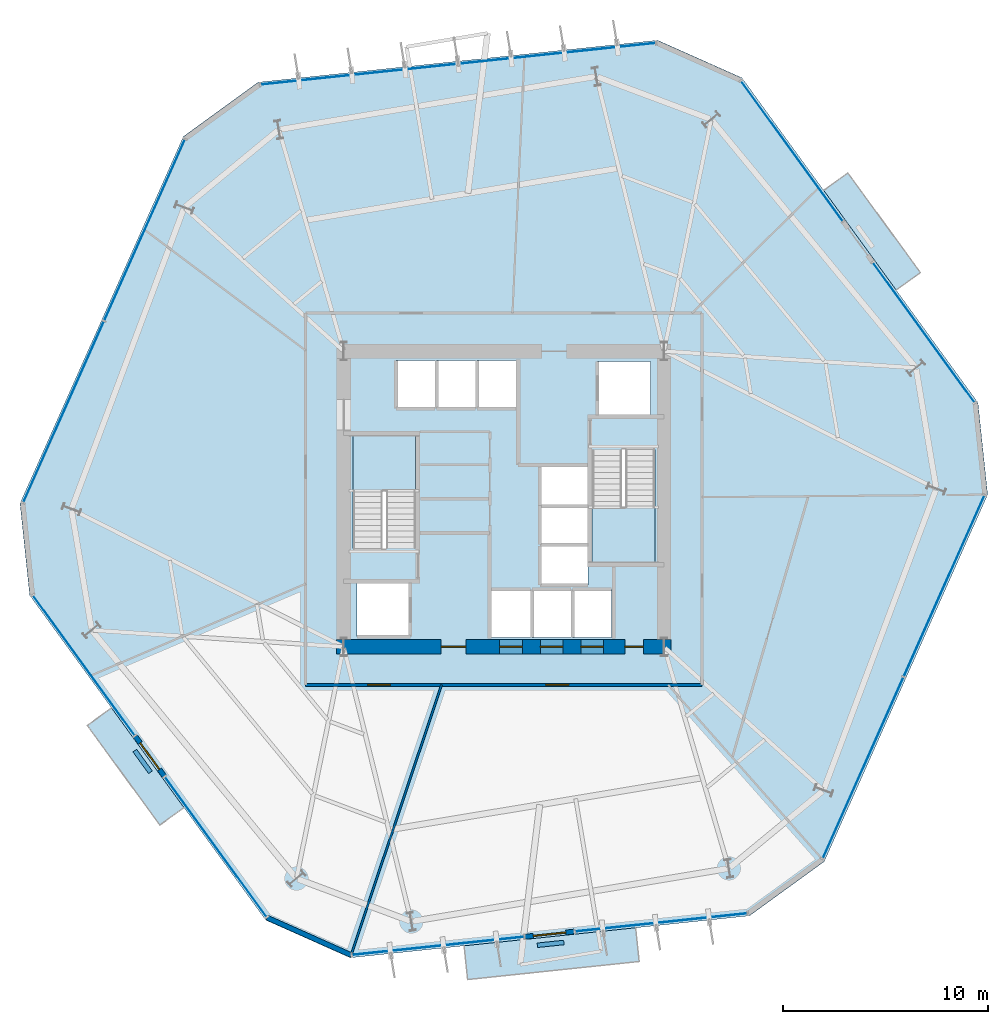
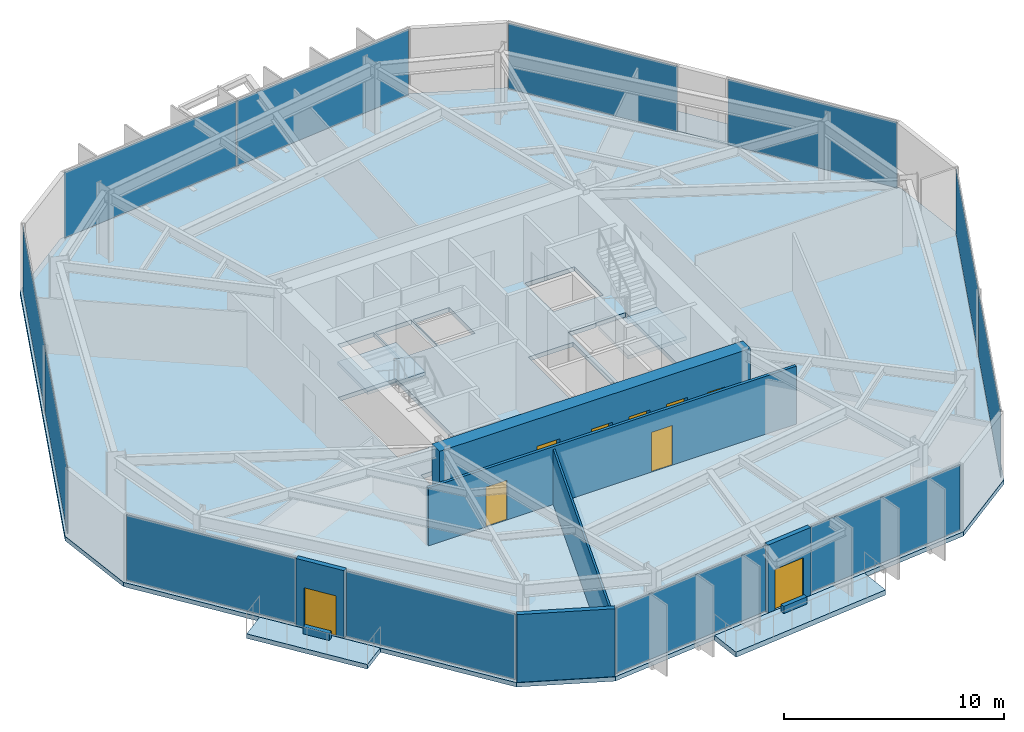
# One storey, part 6 of 11: 12 plates, 9 doors, 8 walls, 6 slabs, 9 openings, 11 elements without a shape of their own.
"""IFC4 building model written with IfcOpenShell, lengths in metres."""

from ifc_helpers import new_model, si_unit, direction, frame, frame_2d, origin, origin_2d, place, context, subcontext, project, spatial, polyline, rectangle, outline, extrude, material, layer, layer_set, type_object, element, fill, aggregate, save


model = new_model("IFC4")

# Units and contexts
model_context = context("Model", 3, precision=1e-05, world=origin(), true_north=direction((0.0, 1.0)))
body_context = subcontext(model_context, "Body", "Model", "MODEL_VIEW")
ifc_project = project(units=[si_unit("LENGTHUNIT", "METRE"), si_unit("AREAUNIT", "SQUARE_METRE"), si_unit("VOLUMEUNIT", "CUBIC_METRE"), si_unit("PLANEANGLEUNIT", "RADIAN"), si_unit("MASSUNIT", "GRAM", prefix="KILO")], contexts=[model_context])

# Site, building, storey
site_placement = place(None, origin())
site = spatial("IfcSite", under=ifc_project, at=site_placement, CompositionType="ELEMENT")
building_placement = place(site_placement, origin())
building = spatial("IfcBuilding", under=site, at=building_placement, Name="Kranzbogen Civic Tower", CompositionType="ELEMENT")
storey_placement = place(building_placement, frame((0.0, 0.0, 44.0)))
storey = spatial("IfcBuildingStorey", under=building, at=storey_placement, Name="L10", CompositionType="ELEMENT", Elevation=44.0)

# Slab
ifc_material_1 = material(Name="Concrete C40/50", Category="concrete")
ifc_layer_1 = layer(ifc_material_1, 0.239990234375, Name="Concrete C40/50")
ifc_layer_set_1 = layer_set([ifc_layer_1], Name="Concrete C40/50")
slab_type_1 = type_object("IfcSlabType", Name="Composite Lower Tower Floor Slab 240 mm", PredefinedType="FLOOR", material=ifc_layer_set_1)
slab_1_placement = place(storey_placement, frame((0.0, 0.0, -0.239990234375)))
element("IfcSlab", 1, at=slab_1_placement, inside=storey, type_object=slab_type_1, Name="L10 tower floor slab", PredefinedType="FLOOR", context=body_context, shape_type="SweptSolid", body=[
    extrude(outline(polyline([(48.091064453125, 29.68896484375), (36.594970703125, 45.511962890625), (32.48388671875, 47.342041015625), (13.033935546875, 45.298095703125), (9.39306640625, 42.653076171875), (1.43798828125, 24.785888671875), (1.908935546875, 20.31103515625), (13.405029296875, 4.488037109375), (17.51611328125, 2.657958984375), (36.966064453125, 4.701904296875), (40.60693359375, 7.346923828125), (48.56201171875, 25.214111328125), (48.091064453125, 29.68896484375)]), holes=[polyline([(26.300048828125, 20.60009765625), (26.300048828125, 18.25), (24.39990234375, 18.25), (24.39990234375, 20.60009765625), (26.300048828125, 20.60009765625)]), polyline([(28.27490234375, 18.25), (26.375, 18.25), (26.375, 20.60009765625), (28.27490234375, 20.60009765625), (28.27490234375, 18.25)]), polyline([(20.449951171875, 18.300048828125), (17.85009765625, 18.300048828125), (17.85009765625, 20.89990234375), (20.449951171875, 20.89990234375), (20.449951171875, 18.300048828125)]), polyline([(20.699951171875, 22.659912109375), (19.25, 22.659912109375), (19.25, 22.60009765625), (17.64990234375, 22.60009765625), (17.64990234375, 28.10009765625), (20.699951171875, 28.10009765625), (20.699951171875, 22.659912109375)]), polyline([(21.64990234375, 29.39990234375), (19.75, 29.39990234375), (19.75, 31.75), (21.64990234375, 31.75), (21.64990234375, 29.39990234375)]), polyline([(23.625, 29.39990234375), (21.72509765625, 29.39990234375), (21.72509765625, 31.75), (23.625, 31.75), (23.625, 29.39990234375)]), polyline([(25.60009765625, 31.75), (25.60009765625, 29.39990234375), (23.699951171875, 29.39990234375), (23.699951171875, 31.75), (25.60009765625, 31.75)]), polyline([(30.25, 18.25), (28.35009765625, 18.25), (28.35009765625, 20.60009765625), (30.25, 20.60009765625), (30.25, 18.25)]), polyline([(29.10009765625, 20.800048828125), (26.75, 20.800048828125), (26.75, 22.699951171875), (29.10009765625, 22.699951171875), (29.10009765625, 20.800048828125)]), polyline([(26.75, 26.550048828125), (29.10009765625, 26.550048828125), (29.10009765625, 24.675048828125), (29.10009765625, 24.64990234375), (29.10009765625, 22.77490234375), (26.75, 22.77490234375), (26.75, 24.64990234375), (26.75, 24.675048828125), (26.75, 26.550048828125)]), polyline([(30.75, 27.340087890625), (30.75, 27.39990234375), (32.35009765625, 27.39990234375), (32.35009765625, 21.89990234375), (29.300048828125, 21.89990234375), (29.300048828125, 27.340087890625), (30.75, 27.340087890625)]), polyline([(32.14990234375, 29.10009765625), (29.550048828125, 29.10009765625), (29.550048828125, 31.699951171875), (32.14990234375, 31.699951171875), (32.14990234375, 29.10009765625)])]), origin(), (0.0, 0.0, 1.0), 0.239990234375),
])

# Curtain wall, plate
ifc_material_2 = material(Name="Pale Anodised Aluminium", Category="aluminium")
ifc_layer_2 = layer(ifc_material_2, 0.219970703125, Name="Pale Anodised Aluminium")
ifc_layer_set_2 = layer_set([ifc_layer_2], Name="Pale Anodised Aluminium")
curtain_wall_type = type_object("IfcCurtainWallType", Name="Zone 1 Stick Curtain Wall System CW-02", PredefinedType="USERDEFINED", material=ifc_layer_set_2)
curtain_wall_1_placement = place(storey_placement, origin())
curtain_wall_1 = element("IfcCurtainWall", 2, at=curtain_wall_1_placement, inside=storey, type_object=curtain_wall_type, Name="L10 curtain wall CW-L10-F1-S1", ObjectType="STICK CURTAIN WALL", PredefinedType="USERDEFINED")
ifc_material_3 = material(Name="Low-E Triple Glazing Glass", Category="glass")
ifc_layer_3 = layer(ifc_material_3, 0.033935546875, Name="Low-E Triple Glazing Glass")
ifc_layer_set_3 = layer_set([ifc_layer_3], Name="Low-E Triple Glazing Glass")
plate_type = type_object("IfcPlateType", Name="Insulated Low-E Glazing Panel 34 mm", PredefinedType="CURTAIN_PANEL", material=ifc_layer_set_3)
plate_1_placement = place(storey_placement, frame((45.449462890625, 33.10791015625, 0.06005859375), z_axis=(0.0, 0.0, 1.0), x_axis=(-0.587801827819, 0.809004951291, 0.0)))
plate_1 = element("IfcPlate", 3, at=plate_1_placement, type_object=plate_type, Name="CW-02 panel 1.1", PredefinedType="CURTAIN_PANEL", context=body_context, shape_type="SweptSolid", body=[
    extrude(rectangle(XDim=8.401611328125, YDim=0.028076171875, at=origin_2d()), origin(), (0.0, 0.0, 1.0), 3.639892578125),
])
aggregate(curtain_wall_1, [plate_1])

curtain_wall_2_placement = place(storey_placement, origin())
curtain_wall_2 = element("IfcCurtainWall", 4, at=curtain_wall_2_placement, inside=storey, type_object=curtain_wall_type, Name="L10 curtain wall CW-L10-F1-S2", ObjectType="STICK CURTAIN WALL", PredefinedType="USERDEFINED")
plate_2_placement = place(storey_placement, frame((39.030029296875, 41.943603515625, 0.06005859375), z_axis=(0.0, 0.0, 1.0), x_axis=(-0.587780824037, 0.809020211673, 0.0)))
plate_2 = element("IfcPlate", 5, at=plate_2_placement, type_object=plate_type, Name="CW-02 panel 1.1", PredefinedType="CURTAIN_PANEL", context=body_context, shape_type="SweptSolid", body=[
    extrude(rectangle(XDim=8.400146484375, YDim=0.028076171875, at=origin_2d()), origin(), (0.0, 0.0, 1.0), 3.639892578125),
])
aggregate(curtain_wall_2, [plate_2])

# Curtain wall, plates
curtain_wall_3_placement = place(storey_placement, origin())
curtain_wall_3 = element("IfcCurtainWall", 6, at=curtain_wall_3_placement, inside=storey, type_object=curtain_wall_type, Name="L10 curtain wall CW-L10-F2", ObjectType="STICK CURTAIN WALL", PredefinedType="USERDEFINED")
plate_3_placement = place(storey_placement, frame((27.59130859375, 46.699462890625, 0.06005859375), z_axis=(0.0, 0.0, 1.0), x_axis=(-0.994522913352, -0.104518777347, 0.0)))
plate_3 = element("IfcPlate", 7, at=plate_3_placement, type_object=plate_type, Name="CW-02 panel 1.1", PredefinedType="CURTAIN_PANEL", context=body_context, shape_type="SweptSolid", body=[
    extrude(rectangle(XDim=9.630859375, YDim=0.028076171875, at=origin_2d()), origin(), (0.0, 0.0, 1.0), 3.639892578125),
])
plate_4_placement = place(storey_placement, frame((17.95361328125, 45.6865234375, 0.06005859375), z_axis=(0.0, 0.0, 1.0), x_axis=(-0.994522913352, -0.104518777347, 0.0)))
plate_4 = element("IfcPlate", 8, at=plate_4_placement, type_object=plate_type, Name="CW-02 panel 2.1", PredefinedType="CURTAIN_PANEL", context=body_context, shape_type="SweptSolid", body=[
    extrude(rectangle(XDim=9.630859375, YDim=0.028076171875, at=origin_2d()), origin(), (0.0, 0.0, 1.0), 3.639892578125),
])
aggregate(curtain_wall_3, [plate_3, plate_4])

curtain_wall_4_placement = place(storey_placement, origin())
curtain_wall_4 = element("IfcCurtainWall", 9, at=curtain_wall_4_placement, inside=storey, type_object=curtain_wall_type, Name="L10 curtain wall CW-L10-F3", ObjectType="STICK CURTAIN WALL", PredefinedType="USERDEFINED")
plate_5_placement = place(storey_placement, frame((7.5029296875, 38.093994140625, 0.06005859375), z_axis=(0.0, 0.0, 1.0), x_axis=(-0.406749234104, -0.913539851652, 0.0)))
plate_5 = element("IfcPlate", 10, at=plate_5_placement, type_object=plate_type, Name="CW-02 panel 1.1", PredefinedType="CURTAIN_PANEL", context=body_context, shape_type="SweptSolid", body=[
    extrude(rectangle(XDim=9.630859375, YDim=0.028076171875, at=origin_2d()), origin(), (0.0, 0.0, 1.0), 3.639892578125),
])
plate_6_placement = place(storey_placement, frame((3.56103515625, 29.240966796875, 0.06005859375), z_axis=(0.0, 0.0, 1.0), x_axis=(-0.406749234104, -0.913539851652, 0.0)))
plate_6 = element("IfcPlate", 11, at=plate_6_placement, type_object=plate_type, Name="CW-02 panel 2.1", PredefinedType="CURTAIN_PANEL", context=body_context, shape_type="SweptSolid", body=[
    extrude(rectangle(XDim=9.630859375, YDim=0.028076171875, at=origin_2d()), origin(), (0.0, 0.0, 1.0), 3.639892578125),
])
aggregate(curtain_wall_4, [plate_5, plate_6])

# Curtain wall, plate
curtain_wall_5_placement = place(storey_placement, origin())
curtain_wall_5 = element("IfcCurtainWall", 12, at=curtain_wall_5_placement, inside=storey, type_object=curtain_wall_type, Name="L10 curtain wall CW-L10-F4-S1", ObjectType="STICK CURTAIN WALL", PredefinedType="USERDEFINED")
plate_7_placement = place(storey_placement, frame((4.550537109375, 16.89208984375, 0.06005859375), z_axis=(0.0, 0.0, 1.0), x_axis=(0.587801827819, -0.809004951291, 0.0)))
plate_7 = element("IfcPlate", 13, at=plate_7_placement, type_object=plate_type, Name="CW-02 panel 1.1", PredefinedType="CURTAIN_PANEL", context=body_context, shape_type="SweptSolid", body=[
    extrude(rectangle(XDim=8.401611328125, YDim=0.028076171875, at=origin_2d()), origin(), (0.0, 0.0, 1.0), 3.639892578125),
])
aggregate(curtain_wall_5, [plate_7])

curtain_wall_6_placement = place(storey_placement, origin())
curtain_wall_6 = element("IfcCurtainWall", 14, at=curtain_wall_6_placement, inside=storey, type_object=curtain_wall_type, Name="L10 curtain wall CW-L10-F4-S2", ObjectType="STICK CURTAIN WALL", PredefinedType="USERDEFINED")
plate_8_placement = place(storey_placement, frame((10.969482421875, 8.056884765625, 0.06005859375), z_axis=(0.0, 0.0, 1.0), x_axis=(0.587801827819, -0.809004951291, 0.0)))
plate_8 = element("IfcPlate", 15, at=plate_8_placement, type_object=plate_type, Name="CW-02 panel 1.1", PredefinedType="CURTAIN_PANEL", context=body_context, shape_type="SweptSolid", body=[
    extrude(rectangle(XDim=8.401611328125, YDim=0.028076171875, at=origin_2d()), origin(), (0.0, 0.0, 1.0), 3.639892578125),
])
aggregate(curtain_wall_6, [plate_8])

curtain_wall_7_placement = place(storey_placement, origin())
curtain_wall_7 = element("IfcCurtainWall", 16, at=curtain_wall_7_placement, inside=storey, type_object=curtain_wall_type, Name="L10 curtain wall CW-L10-F5-S1", ObjectType="STICK CURTAIN WALL", PredefinedType="USERDEFINED")
plate_9_placement = place(storey_placement, frame((21.797119140625, 3.236572265625, 0.06005859375), z_axis=(0.0, 0.0, 1.0), x_axis=(0.994517664559, 0.104568708893, 0.0)))
plate_9 = element("IfcPlate", 17, at=plate_9_placement, type_object=plate_type, Name="CW-02 panel 1.1", PredefinedType="CURTAIN_PANEL", context=body_context, shape_type="SweptSolid", body=[
    extrude(rectangle(XDim=8.400634765625, YDim=0.028076171875, at=origin_2d()), origin(), (0.0, 0.0, 1.0), 3.639892578125),
])
aggregate(curtain_wall_7, [plate_9])

curtain_wall_8_placement = place(storey_placement, origin())
curtain_wall_8 = element("IfcCurtainWall", 18, at=curtain_wall_8_placement, inside=storey, type_object=curtain_wall_type, Name="L10 curtain wall CW-L10-F5-S2", ObjectType="STICK CURTAIN WALL", PredefinedType="USERDEFINED")
plate_10_placement = place(storey_placement, frame((32.657958984375, 4.37744140625, 0.06005859375), z_axis=(0.0, 0.0, 1.0), x_axis=(0.994517664559, 0.104568708893, 0.0)))
plate_10 = element("IfcPlate", 19, at=plate_10_placement, type_object=plate_type, Name="CW-02 panel 1.1", PredefinedType="CURTAIN_PANEL", context=body_context, shape_type="SweptSolid", body=[
    extrude(rectangle(XDim=8.400634765625, YDim=0.028076171875, at=origin_2d()), origin(), (0.0, 0.0, 1.0), 3.639892578125),
])
aggregate(curtain_wall_8, [plate_10])

# Curtain wall, plates
curtain_wall_9_placement = place(storey_placement, origin())
curtain_wall_9 = element("IfcCurtainWall", 20, at=curtain_wall_9_placement, inside=storey, type_object=curtain_wall_type, Name="L10 curtain wall CW-L10-F6", ObjectType="STICK CURTAIN WALL", PredefinedType="USERDEFINED")
plate_11_placement = place(storey_placement, frame((42.4970703125, 11.906005859375, 0.06005859375), z_axis=(0.0, 0.0, 1.0), x_axis=(0.406749234104, 0.913539851652, 0.0)))
plate_11 = element("IfcPlate", 21, at=plate_11_placement, type_object=plate_type, Name="CW-02 panel 1.1", PredefinedType="CURTAIN_PANEL", context=body_context, shape_type="SweptSolid", body=[
    extrude(rectangle(XDim=9.630859375, YDim=0.028076171875, at=origin_2d()), origin(), (0.0, 0.0, 1.0), 3.639892578125),
])
plate_12_placement = place(storey_placement, frame((46.43896484375, 20.759033203125, 0.06005859375), z_axis=(0.0, 0.0, 1.0), x_axis=(0.406749234104, 0.913539851652, 0.0)))
plate_12 = element("IfcPlate", 22, at=plate_12_placement, type_object=plate_type, Name="CW-02 panel 2.1", PredefinedType="CURTAIN_PANEL", context=body_context, shape_type="SweptSolid", body=[
    extrude(rectangle(XDim=9.630859375, YDim=0.028076171875, at=origin_2d()), origin(), (0.0, 0.0, 1.0), 3.639892578125),
])
aggregate(curtain_wall_9, [plate_11, plate_12])

# Stair, slab
ifc_material_4 = material(Name="Precast concrete C40/50", Category="concrete")
stair_type_1 = type_object("IfcStairType", Name="Tower Core Pressurized Dogleg Stair 1450", PredefinedType="HALF_TURN_STAIR", material=ifc_material_4)
stair_1_placement = place(storey_placement, origin())
stair_1 = element("IfcStair", 23, at=stair_1_placement, inside=storey, type_object=stair_type_1, Name="L10 Tower Core Pressurized Stair 1", PredefinedType="HALF_TURN_STAIR")
ifc_layer_4 = layer(ifc_material_4, 0.199951171875, Name="Precast concrete C40/50")
ifc_layer_set_4 = layer_set([ifc_layer_4], Name="Precast concrete C40/50")
slab_type_2 = type_object("IfcSlabType", Name="Precast Concrete Stair Landing Slab 200 mm", PredefinedType="LANDING", material=ifc_layer_set_4)
slab_2_placement = place(storey_placement, frame((0.0, 0.0, 1.800048828125)))
slab_2 = element("IfcSlab", 24, at=slab_2_placement, type_object=slab_type_2, Name="ST-T1 landing 1", PredefinedType="LANDING", context=body_context, shape_type="SweptSolid", body=[
    extrude(outline(polyline([(20.699951171875, 25.39990234375), (20.699951171875, 28.10009765625), (17.64990234375, 28.10009765625), (17.64990234375, 25.39990234375), (20.699951171875, 25.39990234375)])), origin(), (0.0, 0.0, 1.0), 0.199951171875),
])
aggregate(stair_1, [slab_2])

stair_type_2 = type_object("IfcStairType", Name="Tower Core Secondary Dogleg Stair 1450", PredefinedType="HALF_TURN_STAIR", material=ifc_material_4)
stair_2_placement = place(storey_placement, origin())
stair_2 = element("IfcStair", 25, at=stair_2_placement, inside=storey, type_object=stair_type_2, Name="L10 Tower Core Pressurized Stair 2", PredefinedType="HALF_TURN_STAIR")
slab_3_placement = place(storey_placement, frame((0.0, 0.0, 1.800048828125)))
slab_3 = element("IfcSlab", 26, at=slab_3_placement, type_object=slab_type_2, Name="ST-T2 landing 1", PredefinedType="LANDING", context=body_context, shape_type="SweptSolid", body=[
    extrude(outline(polyline([(29.300048828125, 24.60009765625), (29.300048828125, 21.89990234375), (32.35009765625, 21.89990234375), (32.35009765625, 24.60009765625), (29.300048828125, 24.60009765625)])), origin(), (0.0, 0.0, 1.0), 0.199951171875),
])
aggregate(stair_2, [slab_3])

# Slabs
ifc_layer_5 = layer(ifc_material_1, 0.280029296875, Name="Concrete C40/50")
ifc_layer_set_5 = layer_set([ifc_layer_5], Name="Concrete C40/50")
slab_type_3 = type_object("IfcSlabType", Name="Spiral Terrace Cantilevered Slab 280 mm", PredefinedType="FLOOR", material=ifc_layer_set_5)
slab_4_placement = place(storey_placement, frame((0.0, 0.0, -0.280029296875)))
element("IfcSlab", 27, at=slab_4_placement, inside=storey, type_object=slab_type_3, Name="L10 cantilevered spiral terrace L10-ST", PredefinedType="FLOOR", context=body_context, shape_type="SweptSolid", body=[
    extrude(outline(polyline([(23.06396484375, 3.240966796875), (31.41796875, 4.118896484375), (31.590087890625, 2.47802734375), (23.236083984375, 1.60009765625), (23.06396484375, 3.240966796875)])), origin(), (0.0, 0.0, 1.0), 0.280029296875),
])
ifc_layer_6 = layer(ifc_material_1, 0.25, Name="Concrete C40/50")
ifc_layer_set_6 = layer_set([ifc_layer_6], Name="Concrete C40/50")
slab_type_4 = type_object("IfcSlabType", Name="Tree Balcony Cantilevered Slab 250 mm", PredefinedType="FLOOR", material=ifc_layer_set_6)
slab_5_placement = place(storey_placement, frame((0.0, 0.0, -0.25)))
element("IfcSlab", 28, at=slab_5_placement, inside=storey, type_object=slab_type_4, Name="L10 cantilevered tree balcony L10-TB1", PredefinedType="FLOOR", context=body_context, shape_type="SweptSolid", body=[
    extrude(outline(polyline([(5.89306640625, 14.825927734375), (9.419921875, 9.971923828125), (8.2470703125, 9.1201171875), (4.719970703125, 13.97412109375), (5.89306640625, 14.825927734375)])), origin(), (0.0, 0.0, 1.0), 0.25),
])
slab_6_placement = place(storey_placement, frame((0.0, 0.0, -0.25)))
element("IfcSlab", 29, at=slab_6_placement, inside=storey, type_object=slab_type_4, Name="L10 cantilevered tree balcony L10-TB2", PredefinedType="FLOOR", context=body_context, shape_type="SweptSolid", body=[
    extrude(outline(polyline([(44.10693359375, 35.174072265625), (40.580078125, 40.028076171875), (41.7529296875, 40.8798828125), (45.280029296875, 36.02587890625), (44.10693359375, 35.174072265625)])), origin(), (0.0, 0.0, 1.0), 0.25),
])

# Wall, openings, doors
ifc_material_5 = material(Name="Double-Stud Acoustic Gypsum Partition")
ifc_layer_7 = layer(ifc_material_5, 0.14990234375, Name="Double-Stud Acoustic Gypsum Partition")
ifc_layer_set_7 = layer_set([ifc_layer_7], Name="Double-Stud Acoustic Gypsum Partition")
wall_type_1 = type_object("IfcWallType", Name="Acoustic Corridor and Clinical Partition 150 mm", PredefinedType="PARTITIONING", material=ifc_layer_set_7)
wall_1_placement = place(storey_placement, frame((34.64990234375, 15.949951171875, 0.0), z_axis=(0.0, 0.0, 1.0), x_axis=(-1.0, 0.0, 0.0)))
wall_1 = element("IfcWall", 30, at=wall_1_placement, inside=storey, type_object=wall_type_1, Name="L10 corridor partition 03", PredefinedType="PARTITIONING", context=body_context, shape_type="SweptSolid", body=[
    extrude(rectangle(XDim=19.2998046875, YDim=0.14990234375, at=frame_2d((9.64990234375, 0.0))), origin(), (0.0, 0.0, 1.0), 3.2099609375),
])
opening_1_placement = place(wall_1_placement, frame((15.180908203125, 0.0, 0.0)))
opening_1 = element("IfcOpeningElement", 31, at=opening_1_placement, cuts=wall_1, Name="Opening D-COR60", PredefinedType="OPENING", context=body_context, shape_type="SweptSolid", body=[
    extrude(rectangle(XDim=1.10009765625, YDim=2.199951171875, at=frame_2d((0.550048828125, 1.10009765625))), frame((0.0, 0.0849609375, 0.0), z_axis=(0.0, -1.0, 0.0), x_axis=(1.0, 0.0, 0.0)), (0.0, 0.0, 1.0), 0.169921875),
])
opening_2_placement = place(wall_1_placement, frame((6.4970703125, 0.0, 0.0)))
opening_2 = element("IfcOpeningElement", 32, at=opening_2_placement, cuts=wall_1, Name="Opening D-COR60", PredefinedType="OPENING", context=body_context, shape_type="SweptSolid", body=[
    extrude(rectangle(XDim=1.10009765625, YDim=2.199951171875, at=frame_2d((0.550048828125, 1.10009765625))), frame((0.0, 0.0849609375, 0.0), z_axis=(0.0, -1.0, 0.0), x_axis=(1.0, 0.0, 0.0)), (0.0, 0.0, 1.0), 0.169921875),
])
ifc_material_6 = material(Name="Oak Timber and Fire Core", Category="wood")
door_type_1 = type_object("IfcDoorType", Name="Corridor Acoustic Fire Door 1100x2200", OperationType="NOTDEFINED", PredefinedType="DOOR", material=ifc_material_6)
door_1_placement = place(opening_1_placement, origin())
door_1 = element("IfcDoor", 33, at=door_1_placement, inside=storey, type_object=door_type_1, Name="L10 Ministerial Policy Office door", OperationType="SINGLE_SWING_RIGHT", OverallHeight=2.199951171875, OverallWidth=1.10009765625, PredefinedType="DOOR", context=body_context, shape_type="SweptSolid", body=[
    extrude(rectangle(XDim=1.10009765625, YDim=2.199951171875, at=frame_2d((0.550048828125, 1.10009765625))), frame((0.0, 0.02490234375, 0.0), z_axis=(0.0, -1.0, 0.0), x_axis=(1.0, 0.0, 0.0)), (0.0, 0.0, 1.0), 0.050048828125),
])
fill(opening_1, door_1)
door_2_placement = place(opening_2_placement, origin())
door_2 = element("IfcDoor", 34, at=door_2_placement, inside=storey, type_object=door_type_1, Name="L10 Directorate Admin Workspace door", OperationType="SINGLE_SWING_LEFT", OverallHeight=2.199951171875, OverallWidth=1.10009765625, PredefinedType="DOOR", context=body_context, shape_type="SweptSolid", body=[
    extrude(rectangle(XDim=1.10009765625, YDim=2.199951171875, at=frame_2d((0.550048828125, 1.10009765625))), frame((0.0, 0.02490234375, 0.0), z_axis=(0.0, -1.0, 0.0), x_axis=(1.0, 0.0, 0.0)), (0.0, 0.0, 1.0), 0.050048828125),
])
fill(opening_2, door_2)

# Walls
ifc_material_7 = material(Name="Architectural Precast Terracotta Concrete C40/50", Category="masonry")
ifc_layer_8 = layer(ifc_material_7, 0.219970703125, Name="Architectural Precast Terracotta Concrete C40/50")
ifc_layer_set_8 = layer_set([ifc_layer_8], Name="Architectural Precast Terracotta Concrete C40/50")
wall_type_2 = type_object("IfcWallType", Name="Architectural Tree Planter Kerb Wall 220 mm", PredefinedType="USERDEFINED", material=ifc_layer_set_8)
wall_2_placement = place(storey_placement, frame((7.028076171875, 12.74609375, 0.0), z_axis=(0.0, 0.0, 1.0), x_axis=(0.587579763197, -0.809166251076, 0.0)))
element("IfcWall", 35, at=wall_2_placement, inside=storey, type_object=wall_type_2, Name="L10 landscaped tree balcony planter L10-TB1", ObjectType="PLANTER_WALL", PredefinedType="USERDEFINED", context=body_context, shape_type="SweptSolid", body=[
    extrude(rectangle(XDim=1.300048828125, YDim=0.219970703125, at=frame_2d((0.64990234375, 0.0))), origin(), (0.0, 0.0, 1.0), 0.39990234375),
])
wall_3_placement = place(storey_placement, frame((26.631103515625, 3.26708984375, 0.0), z_axis=(0.0, 0.0, 1.0), x_axis=(0.994506482607, 0.104675002043, 0.0)))
element("IfcWall", 36, at=wall_3_placement, inside=storey, type_object=wall_type_2, Name="L10 landscaped tree balcony planter L10-ST", ObjectType="PLANTER_WALL", PredefinedType="USERDEFINED", context=body_context, shape_type="SweptSolid", body=[
    extrude(rectangle(XDim=1.299072265625, YDim=0.219970703125, at=frame_2d((0.6494140625, 0.0))), origin(), (0.0, 0.0, 1.0), 0.39990234375),
])

# Wall, openings, doors
ifc_material_8 = material(Name="Concrete C55/67", Category="concrete")
ifc_layer_9 = layer(ifc_material_8, 0.699951171875, Name="Concrete C55/67")
ifc_layer_set_9 = layer_set([ifc_layer_9], Name="Concrete C55/67")
wall_type_3 = type_object("IfcWallType", Name="Central Core Shear Wall 700 mm", PredefinedType="SHEAR", material=ifc_layer_set_9)
wall_4_placement = place(storey_placement, frame((16.85009765625, 17.800048828125, 0.0), z_axis=(0.0, 0.0, 1.0), x_axis=(1.0, 0.0, 0.0)))
wall_4 = element("IfcWall", 37, at=wall_4_placement, inside=storey, type_object=wall_type_3, Name="L10 central core South shear wall", PredefinedType="SHEAR", context=body_context, shape_type="SweptSolid", body=[
    extrude(rectangle(XDim=16.2998046875, YDim=0.699951171875, at=frame_2d((8.14990234375, 0.0))), origin(), (0.0, 0.0, 1.0), 3.760009765625),
])
opening_3_placement = place(wall_4_placement, frame((5.10009765625, 0.0, 0.0)))
opening_3 = element("IfcOpeningElement", 38, at=opening_3_placement, cuts=wall_4, Name="Opening D-EX120", PredefinedType="OPENING", context=body_context, shape_type="SweptSolid", body=[
    extrude(rectangle(XDim=1.199951171875, YDim=2.25, at=frame_2d((0.60009765625, 1.125))), frame((0.0, 0.35986328125, 0.0), z_axis=(0.0, -1.0, 0.0), x_axis=(1.0, 0.0, 0.0)), (0.0, 0.0, 1.0), 0.719970703125),
])
opening_4_placement = place(wall_4_placement, frame((14.050048828125, 0.0, 0.0)))
opening_4 = element("IfcOpeningElement", 39, at=opening_4_placement, cuts=wall_4, Name="Opening D-WC90", PredefinedType="OPENING", context=body_context, shape_type="SweptSolid", body=[
    extrude(rectangle(XDim=0.89990234375, YDim=2.10009765625, at=frame_2d((0.449951171875, 1.050048828125))), frame((0.0, 0.35986328125, 0.0), z_axis=(0.0, -1.0, 0.0), x_axis=(1.0, 0.0, 0.0)), (0.0, 0.0, 1.0), 0.719970703125),
])
opening_5_placement = place(wall_4_placement, frame((7.949951171875, 0.0, 0.0)))
opening_5 = element("IfcOpeningElement", 40, at=opening_5_placement, cuts=wall_4, Name="Opening LD-LP-01", PredefinedType="OPENING", context=body_context, shape_type="SweptSolid", body=[
    extrude(rectangle(XDim=1.10009765625, YDim=2.199951171875, at=frame_2d((0.550048828125, 1.10009765625))), frame((0.0, 0.35986328125, 0.0), z_axis=(0.0, -1.0, 0.0), x_axis=(1.0, 0.0, 0.0)), (0.0, 0.0, 1.0), 0.719970703125),
])
opening_6_placement = place(wall_4_placement, frame((9.925048828125, 0.0, 0.0)))
opening_6 = element("IfcOpeningElement", 41, at=opening_6_placement, cuts=wall_4, Name="Opening LD-LP-02", PredefinedType="OPENING", context=body_context, shape_type="SweptSolid", body=[
    extrude(rectangle(XDim=1.10009765625, YDim=2.199951171875, at=frame_2d((0.550048828125, 1.10009765625))), frame((0.0, 0.35986328125, 0.0), z_axis=(0.0, -1.0, 0.0), x_axis=(1.0, 0.0, 0.0)), (0.0, 0.0, 1.0), 0.719970703125),
])
opening_7_placement = place(wall_4_placement, frame((11.89990234375, 0.0, 0.0)))
opening_7 = element("IfcOpeningElement", 42, at=opening_7_placement, cuts=wall_4, Name="Opening LD-LP-03", PredefinedType="OPENING", context=body_context, shape_type="SweptSolid", body=[
    extrude(rectangle(XDim=1.10009765625, YDim=2.199951171875, at=frame_2d((0.550048828125, 1.10009765625))), frame((0.0, 0.35986328125, 0.0), z_axis=(0.0, -1.0, 0.0), x_axis=(1.0, 0.0, 0.0)), (0.0, 0.0, 1.0), 0.719970703125),
])
ifc_material_9 = material(Name="Steel S355", Category="steel")
door_type_2 = type_object("IfcDoorType", Name="Exit Passageway Fire Door 1200x2250", OperationType="NOTDEFINED", PredefinedType="DOOR", material=ifc_material_9)
door_3_placement = place(opening_3_placement, origin())
door_3 = element("IfcDoor", 43, at=door_3_placement, inside=storey, type_object=door_type_2, Name="L10 West firefighting lobby corridor door", OperationType="SINGLE_SWING_RIGHT", OverallHeight=2.25, OverallWidth=1.199951171875, PredefinedType="DOOR", context=body_context, shape_type="SweptSolid", body=[
    extrude(rectangle(XDim=1.199951171875, YDim=2.25, at=frame_2d((0.60009765625, 1.125))), frame((0.0, 0.02490234375, 0.0), z_axis=(0.0, -1.0, 0.0), x_axis=(1.0, 0.0, 0.0)), (0.0, 0.0, 1.0), 0.050048828125),
])
fill(opening_3, door_3)
door_type_3 = type_object("IfcDoorType", Name="Passenger Lift Sliding Landing Door 1100x2200", OperationType="DOUBLE_DOOR_SLIDING", PredefinedType="DOOR", material=ifc_material_2)
door_4_placement = place(opening_5_placement, origin())
door_4 = element("IfcDoor", 44, at=door_4_placement, inside=storey, type_object=door_type_3, Name="L10 lift LP-01 sliding landing door", OperationType="DOUBLE_DOOR_SLIDING", OverallHeight=2.199951171875, OverallWidth=1.10009765625, PredefinedType="DOOR", context=body_context, shape_type="SweptSolid", body=[
    extrude(rectangle(XDim=1.10009765625, YDim=2.199951171875, at=frame_2d((0.550048828125, 1.10009765625))), frame((0.0, 0.02490234375, 0.0), z_axis=(0.0, -1.0, 0.0), x_axis=(1.0, 0.0, 0.0)), (0.0, 0.0, 1.0), 0.050048828125),
])
fill(opening_5, door_4)
door_5_placement = place(opening_6_placement, origin())
door_5 = element("IfcDoor", 45, at=door_5_placement, inside=storey, type_object=door_type_3, Name="L10 lift LP-02 sliding landing door", OperationType="DOUBLE_DOOR_SLIDING", OverallHeight=2.199951171875, OverallWidth=1.10009765625, PredefinedType="DOOR", context=body_context, shape_type="SweptSolid", body=[
    extrude(rectangle(XDim=1.10009765625, YDim=2.199951171875, at=frame_2d((0.550048828125, 1.10009765625))), frame((0.0, 0.02490234375, 0.0), z_axis=(0.0, -1.0, 0.0), x_axis=(1.0, 0.0, 0.0)), (0.0, 0.0, 1.0), 0.050048828125),
])
fill(opening_6, door_5)
door_6_placement = place(opening_7_placement, origin())
door_6 = element("IfcDoor", 46, at=door_6_placement, inside=storey, type_object=door_type_3, Name="L10 lift LP-03 sliding landing door", OperationType="DOUBLE_DOOR_SLIDING", OverallHeight=2.199951171875, OverallWidth=1.10009765625, PredefinedType="DOOR", context=body_context, shape_type="SweptSolid", body=[
    extrude(rectangle(XDim=1.10009765625, YDim=2.199951171875, at=frame_2d((0.550048828125, 1.10009765625))), frame((0.0, 0.02490234375, 0.0), z_axis=(0.0, -1.0, 0.0), x_axis=(1.0, 0.0, 0.0)), (0.0, 0.0, 1.0), 0.050048828125),
])
fill(opening_7, door_6)
ifc_material_10 = material(Name="Moisture-Resistant Laminate")
door_type_4 = type_object("IfcDoorType", Name="Standard Restroom and Store Door 900x2100", OperationType="NOTDEFINED", PredefinedType="DOOR", material=ifc_material_10)
door_7_placement = place(opening_4_placement, origin())
door_7 = element("IfcDoor", 47, at=door_7_placement, inside=storey, type_object=door_type_4, Name="L10 East electrical riser access door", OperationType="SINGLE_SWING_LEFT", OverallHeight=2.10009765625, OverallWidth=0.89990234375, PredefinedType="DOOR", context=body_context, shape_type="SweptSolid", body=[
    extrude(rectangle(XDim=0.89990234375, YDim=2.10009765625, at=frame_2d((0.449951171875, 1.050048828125))), frame((0.0, 0.02490234375, 0.0), z_axis=(0.0, -1.0, 0.0), x_axis=(1.0, 0.0, 0.0)), (0.0, 0.0, 1.0), 0.050048828125),
])
fill(opening_4, door_7)

# Wall
ifc_material_11 = material(Name="Demountable Aluminium and Gypsum Partition", Category="aluminium")
ifc_layer_10 = layer(ifc_material_11, 0.10009765625, Name="Demountable Aluminium and Gypsum Partition")
ifc_layer_set_10 = layer_set([ifc_layer_10], Name="Demountable Aluminium and Gypsum Partition")
wall_type_4 = type_object("IfcWallType", Name="Demountable Office Partition 100 mm", PredefinedType="MOVABLE", material=ifc_layer_set_10)
wall_5_placement = place(storey_placement, frame((21.968017578125, 15.949951171875, 0.0), z_axis=(0.0, 0.0, 1.0), x_axis=(-0.317580424763, -0.948231339815, 0.0)))
element("IfcWall", 48, at=wall_5_placement, inside=storey, type_object=wall_type_4, Name="L10 radial room partition 05", PredefinedType="MOVABLE", context=body_context, shape_type="SweptSolid", body=[
    extrude(rectangle(XDim=13.8583984375, YDim=0.10009765625, at=frame_2d((6.92919921875, 0.0))), origin(), (0.0, 0.0, 1.0), 3.050048828125),
])

# Wall, opening, door
ifc_layer_11 = layer(ifc_material_2, 0.239990234375, Name="Pale Anodised Aluminium")
ifc_layer_set_11 = layer_set([ifc_layer_11], Name="Pale Anodised Aluminium")
wall_type_5 = type_object("IfcWallType", Name="Insulated Aluminium Facade Portal Wall 240 mm", PredefinedType="STANDARD", material=ifc_layer_set_11)
wall_6_placement = place(storey_placement, frame((7.054931640625, 13.445068359375, 0.0), z_axis=(0.0, 0.0, 1.0), x_axis=(0.587735991603, -0.80905278207, 0.0)))
wall_6 = element("IfcWall", 49, at=wall_6_placement, inside=storey, type_object=wall_type_5, Name="L10 exterior entrance portal wall 1", PredefinedType="STANDARD", context=body_context, shape_type="SweptSolid", body=[
    extrude(rectangle(XDim=2.3994140625, YDim=0.239990234375, at=frame_2d((1.19970703125, 0.0))), origin(), (0.0, 0.0, 1.0), 3.760009765625),
])
opening_8_placement = place(wall_6_placement, frame((0.39990234375, 0.0, 0.0)))
opening_8 = element("IfcOpeningElement", 50, at=opening_8_placement, cuts=wall_6, Name="Opening D-TER", PredefinedType="OPENING", context=body_context, shape_type="SweptSolid", body=[
    extrude(rectangle(XDim=1.60009765625, YDim=2.25, at=frame_2d((0.800048828125, 1.125))), frame((0.0, 0.1298828125, 0.0), z_axis=(0.0, -1.0, 0.0), x_axis=(1.0, 0.0, 0.0)), (0.0, 0.0, 1.0), 0.260009765625),
])
ifc_material_12 = material(Name="Anodised Bronze and Triple Glass", Category="glass")
door_type_5 = type_object("IfcDoorType", Name="Glazed Terrace and Balcony Double Door 1600x2250", OperationType="DOUBLE_DOOR_SINGLE_SWING", PredefinedType="DOOR", material=ifc_material_12)
door_8_placement = place(opening_8_placement, frame((1.60009765625, 0.0, 0.0), z_axis=(0.0, 0.0, 1.0), x_axis=(-1.0, 0.0, 0.0)))
door_8 = element("IfcDoor", 51, at=door_8_placement, inside=storey, type_object=door_type_5, Name="L10 tree balcony access door L10-TB1", OperationType="DOUBLE_DOOR_SINGLE_SWING", OverallHeight=2.25, OverallWidth=1.60009765625, PredefinedType="DOOR", context=body_context, shape_type="SweptSolid", body=[
    extrude(rectangle(XDim=1.60009765625, YDim=2.25, at=frame_2d((0.800048828125, 1.125))), frame((0.0, 0.02490234375, 0.0), z_axis=(0.0, -1.0, 0.0), x_axis=(1.0, 0.0, 0.0)), (0.0, 0.0, 1.0), 0.050048828125),
])
fill(opening_8, door_8)

# Wall
wall_7_placement = place(storey_placement, frame((13.47412109375, 4.610107421875, 0.0), z_axis=(0.0, 0.0, 1.0), x_axis=(0.91355250122, -0.406720822573, 0.0)))
element("IfcWall", 52, at=wall_7_placement, inside=storey, type_object=wall_type_5, Name="L10 chamfered corner facade spandrel 4", PredefinedType="STANDARD", context=body_context, shape_type="SweptSolid", body=[
    extrude(rectangle(XDim=4.47265625, YDim=0.239990234375, at=frame_2d((2.236328125, 0.0))), origin(), (0.0, 0.0, 1.0), 3.760009765625),
])

# Wall, opening, door
wall_8_placement = place(storey_placement, frame((26.033935546875, 3.681884765625, 0.0), z_axis=(0.0, 0.0, 1.0), x_axis=(0.994559942167, 0.104165836226, 0.0)))
wall_8 = element("IfcWall", 53, at=wall_8_placement, inside=storey, type_object=wall_type_5, Name="L10 exterior entrance portal wall 1", PredefinedType="STANDARD", context=body_context, shape_type="SweptSolid", body=[
    extrude(rectangle(XDim=2.39990234375, YDim=0.239990234375, at=frame_2d((1.199951171875, 0.0))), origin(), (0.0, 0.0, 1.0), 3.760009765625),
])
opening_9_placement = place(wall_8_placement, frame((0.39990234375, 0.0, 0.0)))
opening_9 = element("IfcOpeningElement", 54, at=opening_9_placement, cuts=wall_8, Name="Opening D-TER", PredefinedType="OPENING", context=body_context, shape_type="SweptSolid", body=[
    extrude(rectangle(XDim=1.60009765625, YDim=2.25, at=frame_2d((0.800048828125, 1.125))), frame((0.0, 0.1298828125, 0.0), z_axis=(0.0, -1.0, 0.0), x_axis=(1.0, 0.0, 0.0)), (0.0, 0.0, 1.0), 0.260009765625),
])
door_9_placement = place(opening_9_placement, frame((1.60009765625, 0.0, 0.0), z_axis=(0.0, 0.0, 1.0), x_axis=(-1.0, 0.0, 0.0)))
door_9 = element("IfcDoor", 55, at=door_9_placement, inside=storey, type_object=door_type_5, Name="L10 spiral terrace access door L10-ST", OperationType="DOUBLE_DOOR_SINGLE_SWING", OverallHeight=2.25, OverallWidth=1.60009765625, PredefinedType="DOOR", context=body_context, shape_type="SweptSolid", body=[
    extrude(rectangle(XDim=1.60009765625, YDim=2.25, at=frame_2d((0.800048828125, 1.125))), frame((0.0, 0.02490234375, 0.0), z_axis=(0.0, -1.0, 0.0), x_axis=(1.0, 0.0, 0.0)), (0.0, 0.0, 1.0), 0.050048828125),
])
fill(opening_9, door_9)

save(model, "model.ifc")
